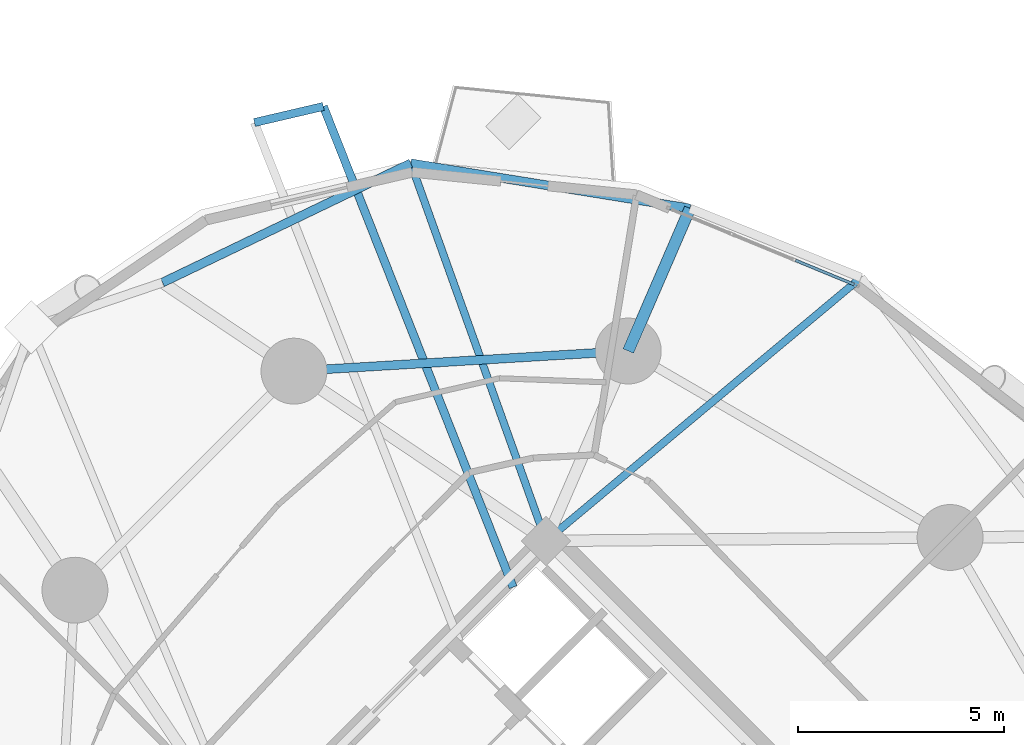
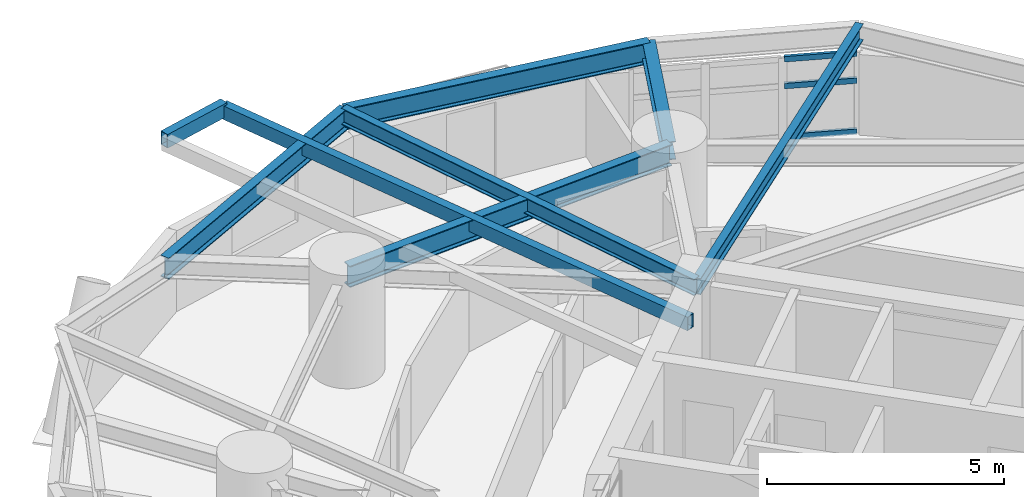
# One storey, part 6 of 18: 8 beams, 3 members, 1 element without a shape of its own.
"""IFC4 building model written with IfcOpenShell, lengths in metres."""

from ifc_helpers import new_model, si_unit, direction, frame, origin, origin_2d, place, context, subcontext, project, spatial, hollow_rectangle, i_section, extrude, material, layer, layer_set, material_profile, profile_set, type_object, element, aggregate, save


model = new_model("IFC4")

# Units and contexts
model_context = context("Model", 3, precision=1e-05, world=origin(), true_north=direction((0.0, 1.0)))
body_context = subcontext(model_context, "Body", "Model", "MODEL_VIEW")
ifc_project = project(units=[si_unit("LENGTHUNIT", "METRE"), si_unit("AREAUNIT", "SQUARE_METRE"), si_unit("VOLUMEUNIT", "CUBIC_METRE"), si_unit("PLANEANGLEUNIT", "RADIAN"), si_unit("MASSUNIT", "GRAM", prefix="KILO")], contexts=[model_context])

# Site, building, storey
site_placement = place(None, origin())
site = spatial("IfcSite", under=ifc_project, at=site_placement, CompositionType="ELEMENT")
building_placement = place(site_placement, origin())
building = spatial("IfcBuilding", under=site, at=building_placement, Name="Cununo Teusaquillo Station Towers", CompositionType="ELEMENT")
storey_placement = place(building_placement, frame((0.0, 0.0, 56.919921875)))
storey = spatial("IfcBuildingStorey", under=building, at=storey_placement, Name="L17", CompositionType="ELEMENT", Elevation=56.919921875)

# Beams
ifc_material_1 = material(Name="Steel EN 10025-2 S355J2", Category="steel")
ifc_material_profile_1 = material_profile(ifc_material_1, hollow_rectangle(XDim=0.199951171875, YDim=0.35009765625, WallThickness=0.013916015625, at=origin_2d()), Name="RHS 350x200x14")
ifc_profile_set_1 = profile_set([ifc_material_profile_1], Name="Steel EN 10025-2 S355J2")
beam_type_1 = type_object("IfcBeamType", Name="BM-BAL-CANT", PredefinedType="BEAM", material=ifc_profile_set_1)
beam_1_placement = place(storey_placement, frame((55.494384765625, 31.89892578125, 2.47509765625), z_axis=(-0.367063787218, 0.930195773003, 0.0), x_axis=(-0.930195773003, -0.367063787218, 0.0)))
element("IfcBeam", 1, at=beam_1_placement, inside=storey, type_object=beam_type_1, Name="L17 Tower B Balcony Cantilever Bracket 1A", PredefinedType="BEAM", context=body_context, shape_type="SweptSolid", body=[
    extrude(hollow_rectangle(XDim=0.199951171875, YDim=0.35009765625, WallThickness=0.013916015625, at=origin_2d()), origin(), (0.0, 0.0, 1.0), 12.551513671875),
])
ifc_material_2 = material(Name="Steel ASTM A572 Grade 50", Category="steel")
ifc_material_profile_2 = material_profile(ifc_material_2, i_section(OverallWidth=0.180908203125, OverallDepth=0.4169921875, WebThickness=0.010986328125, FlangeThickness=0.018310546875, FilletRadius=0.012939453125, at=origin_2d()), Name="W16X57")
ifc_profile_set_2 = profile_set([ifc_material_profile_2], Name="Steel ASTM A572 Grade 50")
beam_type_2 = type_object("IfcBeamType", Name="BM-JOIST-1", PredefinedType="JOIST", material=ifc_profile_set_2)
beam_2_placement = place(storey_placement, frame((56.29443359375, 33.024169921875, 2.441650390625), z_axis=(0.767277092139, 0.641315728701, 0.0), x_axis=(-0.641315728701, 0.767277092139, 0.0)))
element("IfcBeam", 2, at=beam_2_placement, inside=storey, type_object=beam_type_2, Name="L17 Tower B Radial Spandrel Joist V01", PredefinedType="JOIST", context=body_context, shape_type="SweptSolid", body=[
    extrude(i_section(OverallWidth=0.180908203125, OverallDepth=0.4169921875, WebThickness=0.010986328125, FlangeThickness=0.018310546875, FilletRadius=0.012939453125, at=origin_2d()), origin(), (0.0, 0.0, 1.0), 9.97021484375),
])
beam_3_placement = place(storey_placement, frame((56.29443359375, 33.024169921875, 2.441650390625), z_axis=(-0.337279411522, 0.941404588136, 0.0), x_axis=(-0.941404588136, -0.337279411522, 0.0)))
element("IfcBeam", 3, at=beam_3_placement, inside=storey, type_object=beam_type_2, Name="L17 Tower B Radial Spandrel Joist V03", PredefinedType="JOIST", context=body_context, shape_type="SweptSolid", body=[
    extrude(i_section(OverallWidth=0.180908203125, OverallDepth=0.4169921875, WebThickness=0.010986328125, FlangeThickness=0.018310546875, FilletRadius=0.012939453125, at=origin_2d()), origin(), (0.0, 0.0, 1.0), 9.740234375),
])
ifc_material_3 = material(Name="Steel ASTM A572 Grade 50", Category="steel")
ifc_material_profile_3 = material_profile(ifc_material_3, i_section(OverallWidth=0.280029296875, OverallDepth=0.462890625, WebThickness=0.0107421875, FlangeThickness=0.017333984375, FilletRadius=0.013916015625, at=origin_2d()), Name="W18X76")
ifc_profile_set_3 = profile_set([ifc_material_profile_3], Name="Steel ASTM A572 Grade 50")
beam_type_3 = type_object("IfcBeamType", Name="BM-RAD-G1", PredefinedType="BEAM", material=ifc_profile_set_3)
beam_4_placement = place(storey_placement, frame((58.291015625, 37.63525390625, 2.41845703125), z_axis=(0.397391354301, 0.917649231203, 0.0), x_axis=(-0.917649231203, 0.397391354301, 0.0)))
element("IfcBeam", 4, at=beam_4_placement, inside=storey, type_object=beam_type_3, Name="L17 Tower B Perimeter Overhang Girder 02B", PredefinedType="BEAM", context=body_context, shape_type="SweptSolid", body=[
    extrude(i_section(OverallWidth=0.280029296875, OverallDepth=0.462890625, WebThickness=0.0107421875, FlangeThickness=0.017333984375, FilletRadius=0.013916015625, at=origin_2d()), origin(), (0.0, 0.0, 1.0), 3.7734375),
])
ifc_material_4 = material(Name="Steel ASTM A572 Grade 50", Category="steel")
ifc_material_profile_4 = material_profile(ifc_material_4, i_section(OverallWidth=0.214111328125, OverallDepth=0.549072265625, WebThickness=0.0146484375, FlangeThickness=0.023681640625, FilletRadius=0.014892578125, at=origin_2d()), Name="W21X93")
ifc_profile_set_4 = profile_set([ifc_material_profile_4], Name="Steel ASTM A572 Grade 50")
beam_type_4 = type_object("IfcBeamType", Name="BM-RING-Z1", PredefinedType="SPANDREL", material=ifc_profile_set_4)
beam_5_placement = place(storey_placement, frame((58.291015625, 37.63525390625, 2.37548828125), z_axis=(-0.998190567048, -0.06012979176, 0.0), x_axis=(0.06012979176, -0.998190567048, 0.0)))
element("IfcBeam", 5, at=beam_5_placement, inside=storey, type_object=beam_type_4, Name="L17 Tower B Structural Column Ring Girder 02", PredefinedType="SPANDREL", context=body_context, shape_type="SweptSolid", body=[
    extrude(i_section(OverallWidth=0.214111328125, OverallDepth=0.549072265625, WebThickness=0.0146484375, FlangeThickness=0.023681640625, FilletRadius=0.014892578125, at=origin_2d()), origin(), (0.0, 0.0, 1.0), 8.132568359375),
])
beam_6_placement = place(storey_placement, frame((59.79052734375, 41.097900390625, 2.37548828125), z_axis=(-0.987196384793, 0.15950955411, 0.0), x_axis=(-0.15950955411, -0.987196384793, 0.0)))
element("IfcBeam", 6, at=beam_6_placement, inside=storey, type_object=beam_type_4, Name="L17 Tower B Spandrel Ring Beam 03", PredefinedType="SPANDREL", context=body_context, shape_type="SweptSolid", body=[
    extrude(i_section(OverallWidth=0.214111328125, OverallDepth=0.549072265625, WebThickness=0.0146484375, FlangeThickness=0.023681640625, FilletRadius=0.014892578125, at=origin_2d()), origin(), (0.0, 0.0, 1.0), 6.869140625),
])
beam_7_placement = place(storey_placement, frame((53.00927734375, 42.193603515625, 2.37548828125), z_axis=(-0.901374357189, -0.433040723491, 0.0), x_axis=(0.433040723491, -0.901374357189, 0.0)))
element("IfcBeam", 7, at=beam_7_placement, inside=storey, type_object=beam_type_4, Name="L17 Tower B Spandrel Ring Beam 04", PredefinedType="SPANDREL", context=body_context, shape_type="SweptSolid", body=[
    extrude(i_section(OverallWidth=0.214111328125, OverallDepth=0.549072265625, WebThickness=0.0146484375, FlangeThickness=0.023681640625, FilletRadius=0.014892578125, at=origin_2d()), origin(), (0.0, 0.0, 1.0), 6.689208984375),
])
ifc_material_5 = material(Name="Steel EN 10025-2 S355J2", Category="steel")
ifc_material_profile_5 = material_profile(ifc_material_5, hollow_rectangle(XDim=0.199951171875, YDim=0.35009765625, WallThickness=0.013916015625, at=origin_2d()), Name="RHS 350x200x14")
ifc_profile_set_5 = profile_set([ifc_material_profile_5], Name="Steel EN 10025-2 S355J2")
beam_type_5 = type_object("IfcBeamType", Name="BM-STAIR-TRIM", PredefinedType="BEAM", material=ifc_profile_set_5)
beam_8_placement = place(storey_placement, frame((50.88720703125, 43.57421875, 2.525146484375), z_axis=(-0.973840162156, -0.227234105214, 0.0), x_axis=(0.227234105214, -0.973840162156, 0.0)))
element("IfcBeam", 8, at=beam_8_placement, inside=storey, type_object=beam_type_5, Name="L17 Tower B Balcony Edge Trimmer Beam 1", PredefinedType="BEAM", context=body_context, shape_type="SweptSolid", body=[
    extrude(hollow_rectangle(XDim=0.199951171875, YDim=0.35009765625, WallThickness=0.013916015625, at=origin_2d()), origin(), (0.0, 0.0, 1.0), 1.718994140625),
])

# Curtain wall, members
ifc_material_6 = material(Name="Operable acoustic tinted low-E double glazing", Category="glass")
ifc_layer = layer(ifc_material_6, 0.179931640625)
ifc_layer_set = layer_set([ifc_layer], Name="Operable acoustic tinted low-E double glazing")
curtain_wall_type = type_object("IfcCurtainWallType", Name="CW-SYS-03", PredefinedType="USERDEFINED", material=ifc_layer_set)
curtain_wall_placement = place(storey_placement, origin())
curtain_wall = element("IfcCurtainWall", 9, at=curtain_wall_placement, inside=storey, type_object=curtain_wall_type, Name="L17 Tower B Facade Curtain Wall C01", ObjectType="OPERABLE GLAZING", PredefinedType="USERDEFINED")
ifc_material_7 = material(Name="Anodised dark bronze aluminium EN AW-6063-T6", Category="aluminium")
ifc_material_profile_6 = material_profile(ifc_material_7, hollow_rectangle(XDim=0.070068359375, YDim=0.139892578125, WallThickness=0.00390625, at=origin_2d()), Name="CW-TRAN-70x140")
ifc_profile_set_6 = profile_set([ifc_material_profile_6], Name="Anodised dark bronze aluminium EN AW-6063-T6")
member_type = type_object("IfcMemberType", Name="CWT-140", PredefinedType="USERDEFINED", material=ifc_profile_set_6)
member_1_placement = place(storey_placement, frame((62.35498046875, 39.836181640625, 0.03515625), z_axis=(0.92451397274, -0.381148152572, 0.0), x_axis=(0.381148152572, 0.92451397274, 0.0)))
member_1 = element("IfcMember", 10, at=member_1_placement, type_object=member_type, Name="CW-03 transom 3.1", ObjectType="TRANSOM", PredefinedType="USERDEFINED", context=body_context, shape_type="SweptSolid", body=[
    extrude(hollow_rectangle(XDim=0.070068359375, YDim=0.139892578125, WallThickness=0.00390625, at=origin_2d()), origin(), (0.0, 0.0, 1.0), 1.541259765625),
])
member_2_placement = place(storey_placement, frame((62.35498046875, 39.836181640625, 1.34716796875), z_axis=(0.92451397274, -0.381148152572, 0.0), x_axis=(0.381148152572, 0.92451397274, 0.0)))
member_2 = element("IfcMember", 11, at=member_2_placement, type_object=member_type, Name="CW-03 transom 3.2", ObjectType="TRANSOM", PredefinedType="USERDEFINED", context=body_context, shape_type="SweptSolid", body=[
    extrude(hollow_rectangle(XDim=0.070068359375, YDim=0.139892578125, WallThickness=0.00390625, at=origin_2d()), origin(), (0.0, 0.0, 1.0), 1.541259765625),
])
member_3_placement = place(storey_placement, frame((62.35498046875, 39.836181640625, 2.0380859375), z_axis=(0.92451397274, -0.381148152572, 0.0), x_axis=(0.381148152572, 0.92451397274, 0.0)))
member_3 = element("IfcMember", 12, at=member_3_placement, type_object=member_type, Name="CW-03 transom 3.3", ObjectType="TRANSOM", PredefinedType="USERDEFINED", context=body_context, shape_type="SweptSolid", body=[
    extrude(hollow_rectangle(XDim=0.070068359375, YDim=0.139892578125, WallThickness=0.00390625, at=origin_2d()), origin(), (0.0, 0.0, 1.0), 1.541259765625),
])
aggregate(curtain_wall, [member_1, member_2, member_3])

save(model, "model.ifc")
